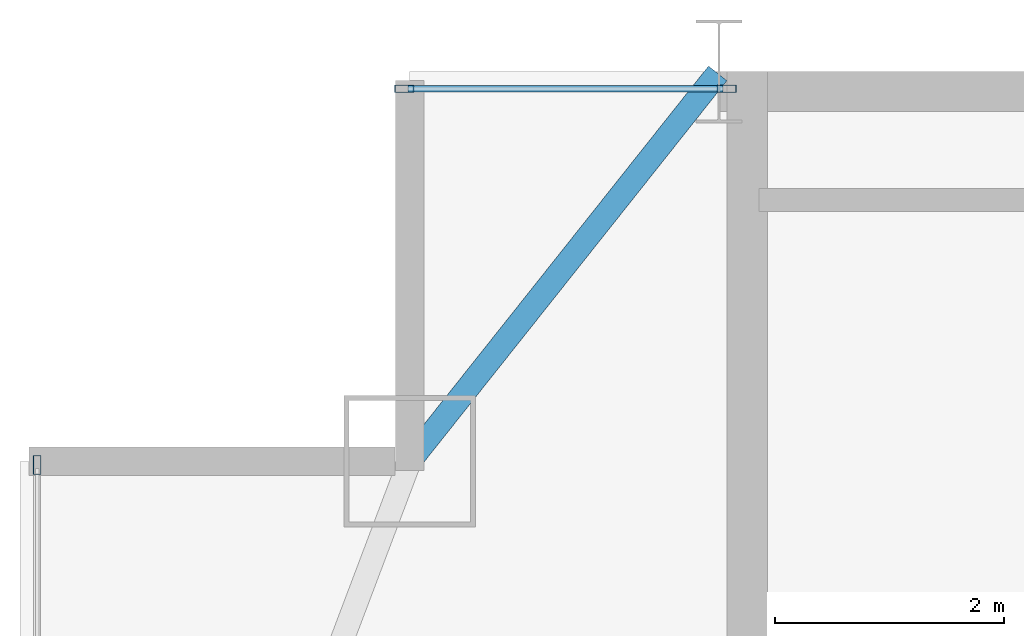
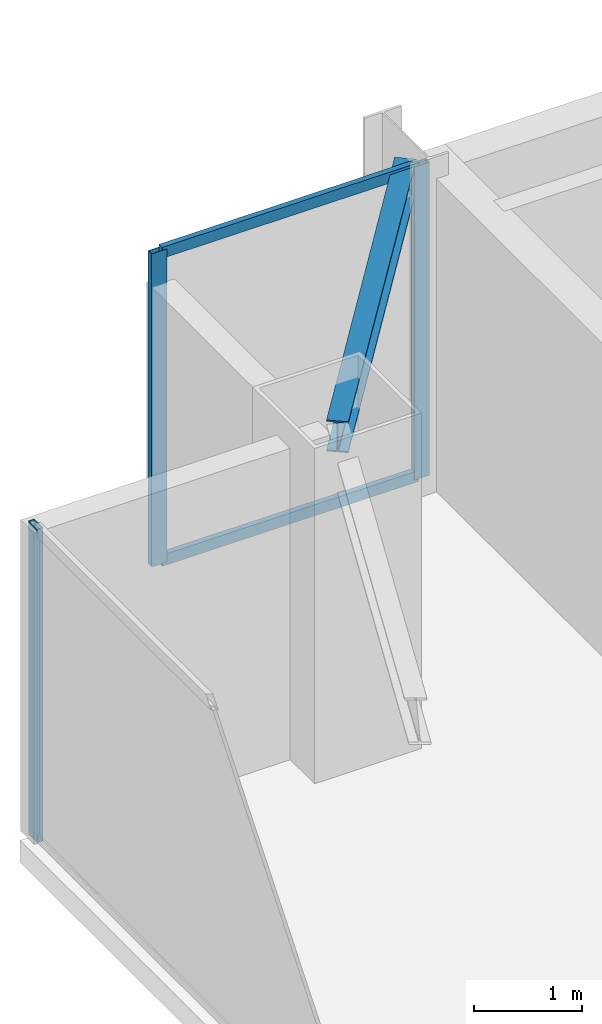
# One storey, part 17 of 25: 5 members, 1 beam, 2 elements without a shape of their own.
"""IFC4 building model written with IfcOpenShell, lengths in metres."""

from ifc_helpers import new_model, si_unit, direction, frame, origin, origin_2d, place, context, subcontext, project, spatial, hollow_rectangle, i_section, extrude, source, transform, mapped, material, layer, layer_set, material_profile, profile_set, type_object, type_shapes, element, aggregate, save


model = new_model("IFC4")

# Units and contexts
model_context = context("Model", 3, precision=1e-05, world=origin(), true_north=direction((0.0, 1.0)))
body_context = subcontext(model_context, "Body", "Model", "MODEL_VIEW")
ifc_project = project(units=[si_unit("LENGTHUNIT", "METRE"), si_unit("AREAUNIT", "SQUARE_METRE"), si_unit("VOLUMEUNIT", "CUBIC_METRE"), si_unit("PLANEANGLEUNIT", "RADIAN"), si_unit("MASSUNIT", "GRAM", prefix="KILO")], contexts=[model_context])

# Site, building, storey
site_placement = place(None, origin())
site = spatial("IfcSite", under=ifc_project, at=site_placement, CompositionType="ELEMENT")
building_placement = place(site_placement, origin())
building = spatial("IfcBuilding", under=site, at=building_placement, Name="Varnel Quay Broadcast Tower", CompositionType="ELEMENT")
storey_placement = place(building_placement, frame((0.0, 0.0, 250.800048828125)))
storey = spatial("IfcBuildingStorey", under=building, at=storey_placement, Name="L62", CompositionType="ELEMENT", Elevation=250.800048828125)

# Beam
ifc_material_1 = material(Name="Structural Steel CSA G40.21 350W", Category="steel")
ifc_material_profile_1 = material_profile(ifc_material_1, i_section(OverallWidth=0.205078125, OverallDepth=0.35400390625, WebThickness=0.009521484375, FlangeThickness=0.016845703125, FilletRadius=0.012939453125, at=origin_2d()), Name="W360X79")
ifc_profile_set_1 = profile_set([ifc_material_profile_1], Name="Structural Steel CSA G40.21 350W")
beam_type = type_object("IfcBeamType", Name="Beam_W360X79", PredefinedType="SPANDREL", material=ifc_profile_set_1)
shared_shape_1 = source(origin(), body_context, "Body", "SweptSolid", [
    extrude(i_section(OverallWidth=0.205078125, OverallDepth=0.35400390625, WebThickness=0.009521484375, FlangeThickness=0.016845703125, FilletRadius=0.012939453125, at=origin_2d()), origin(), (0.0, 0.0, 1.0), 4.301513671875),
])
type_shapes(beam_type, [shared_shape_1])
beam_placement = place(storey_placement, frame((12.912353515625, 43.415771484375, 3.373046875), z_axis=(0.621936399401, 0.783067758946, 0.0), x_axis=(-0.783067758946, 0.621936399401, 0.0)))
element("IfcBeam", 1, at=beam_placement, inside=storey, type_object=beam_type, Name="L62 NW Tie Spandrel", PredefinedType="SPANDREL", context=body_context, shape_type="MappedRepresentation", body=[
    mapped(shared_shape_1, transform((0.0, 0.0, 0.0), x_axis=(1.0, 0.0, 0.0), y_axis=(0.0, 1.0, 0.0), z_axis=(0.0, 0.0, 1.0), scale=1.0)),
])

# Curtain wall, member
ifc_material_2 = material(Name="Anodised Bronze Aluminium 6063-T6", Category="aluminium")
ifc_layer = layer(ifc_material_2, 0.18994140625, Name="Anodised Bronze Aluminium 6063-T6")
ifc_layer_set = layer_set([ifc_layer], Name="Anodised Bronze Aluminium 6063-T6")
curtain_wall_type = type_object("IfcCurtainWallType", Name="CW_UpperTower", PredefinedType="NOTDEFINED", material=ifc_layer_set)
curtain_wall_1_placement = place(storey_placement, origin())
curtain_wall_1 = element("IfcCurtainWall", 2, at=curtain_wall_1_placement, inside=storey, type_object=curtain_wall_type, Name="L62 West Unitised Curtain Wall", PredefinedType="NOTDEFINED")
ifc_material_profile_2 = material_profile(ifc_material_2, hollow_rectangle(XDim=0.06494140625, YDim=0.1650390625, WallThickness=0.00341796875, at=origin_2d()), Name="ALU65X165X3.5")
ifc_profile_set_2 = profile_set([ifc_material_profile_2], Name="Anodised Bronze Aluminium 6063-T6")
member_type_1 = type_object("IfcMemberType", Name="Mull_CWS-03", PredefinedType="MULLION", material=ifc_profile_set_2)
shared_shape_2 = source(origin(), body_context, "Body", "SweptSolid", [
    extrude(hollow_rectangle(XDim=0.06494140625, YDim=0.1650390625, WallThickness=0.00341796875, at=origin_2d()), origin(), (0.0, 0.0, 1.0), 3.550048828125),
])
type_shapes(member_type_1, [shared_shape_2])
member_1_placement = place(storey_placement, frame((9.64990234375, 43.367431640625, 0.0), z_axis=(0.0, 0.0, 1.0), x_axis=(-1.0, 0.0, 0.0)))
member_1 = element("IfcMember", 3, at=member_1_placement, type_object=member_type_1, Name="CWS-03 mullion 3", PredefinedType="MULLION", context=body_context, shape_type="MappedRepresentation", body=[
    mapped(shared_shape_2, transform((0.0, 0.0, 0.0), x_axis=(1.0, 0.0, 0.0), y_axis=(0.0, 1.0, 0.0), z_axis=(0.0, 0.0, 1.0), scale=1.0)),
])
aggregate(curtain_wall_1, [member_1])

# Curtain wall, members
curtain_wall_2_placement = place(storey_placement, origin())
curtain_wall_2 = element("IfcCurtainWall", 4, at=curtain_wall_2_placement, inside=storey, type_object=curtain_wall_type, Name="L62 NW Wing Curtain Wall", PredefinedType="NOTDEFINED")
member_2_placement = place(storey_placement, frame((12.8525390625, 46.64990234375, 0.0), z_axis=(0.0, 0.0, 1.0), x_axis=(0.0, 1.0, 0.0)))
member_2 = element("IfcMember", 5, at=member_2_placement, type_object=member_type_1, Name="CWS-03 mullion 1", PredefinedType="MULLION", context=body_context, shape_type="MappedRepresentation", body=[
    mapped(shared_shape_2, transform((0.0, 0.0, 0.0), x_axis=(1.0, 0.0, 0.0), y_axis=(0.0, 1.0, 0.0), z_axis=(0.0, 0.0, 1.0), scale=1.0)),
])
member_3_placement = place(storey_placement, frame((15.66748046875, 46.64990234375, 0.0), z_axis=(0.0, 0.0, 1.0), x_axis=(0.0, 1.0, 0.0)))
member_3 = element("IfcMember", 6, at=member_3_placement, type_object=member_type_1, Name="CWS-03 mullion 2", PredefinedType="MULLION", context=body_context, shape_type="MappedRepresentation", body=[
    mapped(shared_shape_2, transform((0.0, 0.0, 0.0), x_axis=(1.0, 0.0, 0.0), y_axis=(0.0, 1.0, 0.0), z_axis=(0.0, 0.0, 1.0), scale=1.0)),
])
ifc_material_profile_3 = material_profile(ifc_material_2, hollow_rectangle(XDim=0.06005859375, YDim=0.125, WallThickness=0.0029296875, at=origin_2d()), Name="ALU60X125X3")
ifc_profile_set_3 = profile_set([ifc_material_profile_3], Name="Anodised Bronze Aluminium 6063-T6")
member_type_2 = type_object("IfcMemberType", Name="Tran_CWS-03", PredefinedType="USERDEFINED", material=ifc_profile_set_3)
shared_shape_3 = source(origin(), body_context, "Body", "SweptSolid", [
    extrude(hollow_rectangle(XDim=0.06005859375, YDim=0.125, WallThickness=0.0029296875, at=origin_2d()), origin(), (0.0, 0.0, 1.0), 2.75),
])
type_shapes(member_type_2, [shared_shape_3])
member_4_placement = place(storey_placement, frame((12.885009765625, 46.64990234375, 0.030029296875), z_axis=(1.0, 0.0, 0.0), x_axis=(0.0, 1.0, 0.0)))
member_4 = element("IfcMember", 7, at=member_4_placement, type_object=member_type_2, Name="CWS-03 transom 1.1", ObjectType="TRANSOM", PredefinedType="USERDEFINED", context=body_context, shape_type="MappedRepresentation", body=[
    mapped(shared_shape_3, transform((0.0, 0.0, 0.0), x_axis=(1.0, 0.0, 0.0), y_axis=(0.0, 1.0, 0.0), z_axis=(0.0, 0.0, 1.0), scale=1.0)),
])
member_5_placement = place(storey_placement, frame((12.885009765625, 46.64990234375, 3.52001953125), z_axis=(1.0, 0.0, 0.0), x_axis=(0.0, 1.0, 0.0)))
member_5 = element("IfcMember", 8, at=member_5_placement, type_object=member_type_2, Name="CWS-03 transom 1.2", ObjectType="TRANSOM", PredefinedType="USERDEFINED", context=body_context, shape_type="MappedRepresentation", body=[
    mapped(shared_shape_3, transform((0.0, 0.0, 0.0), x_axis=(1.0, 0.0, 0.0), y_axis=(0.0, 1.0, 0.0), z_axis=(0.0, 0.0, 1.0), scale=1.0)),
])
aggregate(curtain_wall_2, [member_2, member_3, member_4, member_5])

save(model, "model.ifc")
